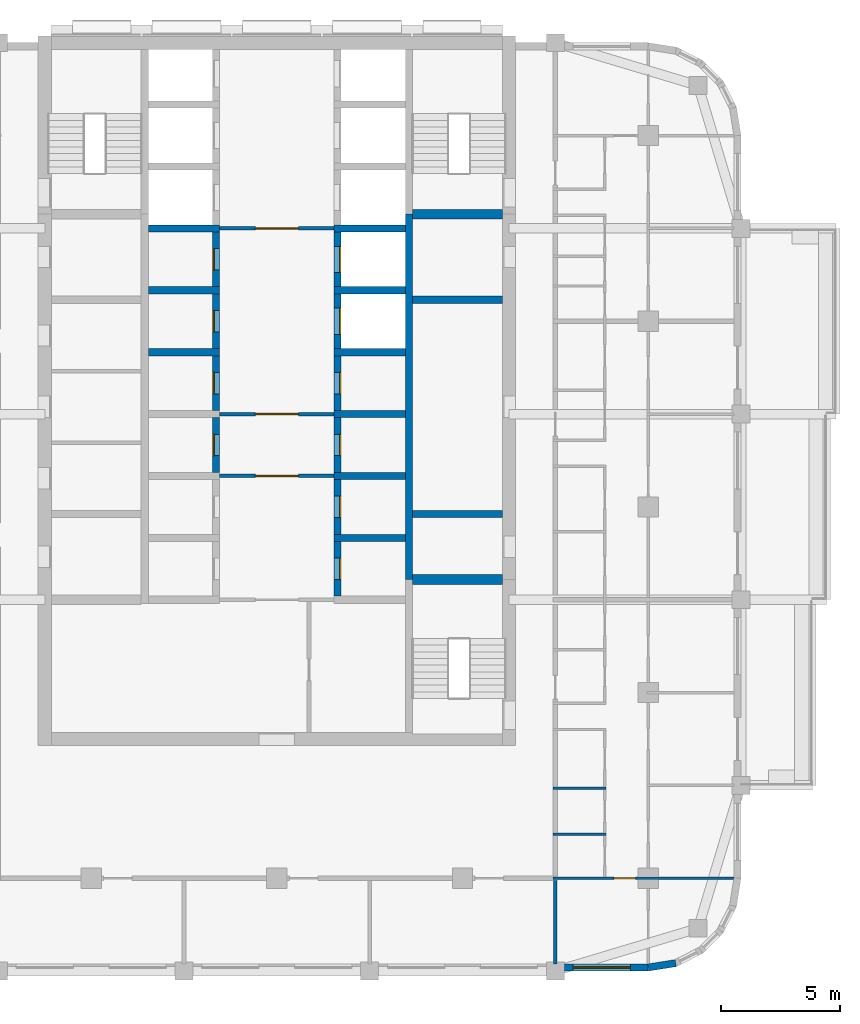
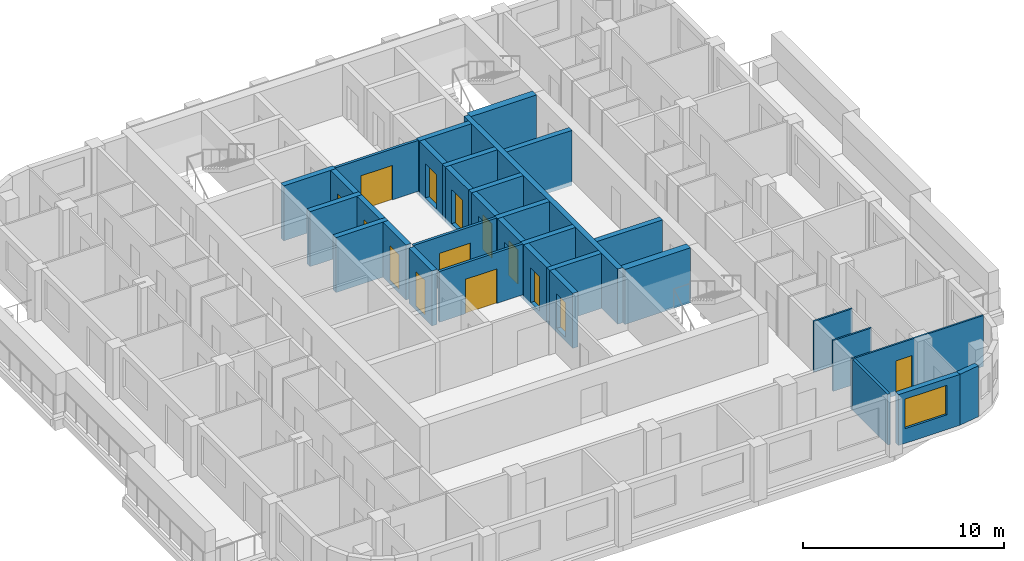
# One storey, part 5 of 13: 33 walls, 14 doors, 1 window, 15 openings.
"""IFC4 building model written with IfcOpenShell, lengths in metres."""

from ifc_helpers import new_model, si_unit, direction, frame, frame_2d, origin, place, context, subcontext, project, spatial, rectangle, extrude, material, layer, layer_set, type_object, element, fill, save


model = new_model("IFC4")

# Units and contexts
model_context = context("Model", 3, precision=1e-05, world=origin(), true_north=direction((0.0, 1.0)))
body_context = subcontext(model_context, "Body", "Model", "MODEL_VIEW")
ifc_project = project(units=[si_unit("LENGTHUNIT", "METRE"), si_unit("AREAUNIT", "SQUARE_METRE"), si_unit("VOLUMEUNIT", "CUBIC_METRE"), si_unit("PLANEANGLEUNIT", "RADIAN"), si_unit("MASSUNIT", "GRAM", prefix="KILO")], contexts=[model_context])

# Site, building, storey
site_placement = place(None, origin())
site = spatial("IfcSite", under=ifc_project, at=site_placement, CompositionType="ELEMENT")
building_placement = place(site_placement, origin())
building = spatial("IfcBuilding", under=site, at=building_placement, Name="Ludao Terraces", CompositionType="ELEMENT")
storey_placement = place(building_placement, frame((0.0, 0.0, 189.39990234375)))
storey = spatial("IfcBuildingStorey", under=building, at=storey_placement, Name="L51", CompositionType="ELEMENT", Elevation=189.39990234375)

# Wall, opening, window
ifc_material_1 = material(Name="Granite cladding", Category="masonry")
ifc_layer_1 = layer(ifc_material_1, 0.0400390625, Category="stone")
ifc_material_2 = material(Name="Mineral wool")
ifc_layer_2 = layer(ifc_material_2, 0.06005859375)
ifc_material_3 = material(Name="Concrete C40", Category="concrete")
ifc_layer_3 = layer(ifc_material_3, 0.199951171875, Category="concrete")
ifc_layer_set_1 = layer_set([ifc_layer_1, ifc_layer_2, ifc_layer_3], Name="ENV Stone-clad wall 300")
wall_type_1 = type_object("IfcWallType", Name="ENV Stone-clad wall 300", PredefinedType="SOLIDWALL", material=ifc_layer_set_1)
wall_1_placement = place(storey_placement, frame((97.074951171875, 45.64990234375, 0.0), z_axis=(0.0, 0.0, 1.0), x_axis=(1.0, 0.0, 0.0)))
wall_1 = element("IfcWall", 1, at=wall_1_placement, inside=storey, type_object=wall_type_1, Name="EW-L51-S5", PredefinedType="SOLIDWALL", context=body_context, shape_type="SweptSolid", body=[
    extrude(rectangle(XDim=3.525146484375, YDim=0.300048828125, at=frame_2d((1.7626953125, 0.0))), origin(), (0.0, 0.0, 1.0), 3.10009765625),
])
opening_1_placement = place(wall_1_placement, frame((0.375, 0.0, 0.89990234375)))
opening_1 = element("IfcOpeningElement", 2, at=opening_1_placement, cuts=wall_1, Name="Opening W1", PredefinedType="OPENING", context=body_context, shape_type="SweptSolid", body=[
    extrude(rectangle(XDim=2.39990234375, YDim=1.800048828125, at=frame_2d((1.199951171875, 0.89990234375))), frame((0.0, 0.16015625, 0.0), z_axis=(0.0, -1.0, 0.0), x_axis=(1.0, 0.0, 0.0)), (0.0, 0.0, 1.0), 0.320068359375),
])
ifc_material_4 = material(Name="Clear glass in aluminium frame", Category="aluminium")
ifc_layer_4 = layer(ifc_material_4, 0.06005859375)
ifc_layer_set_2 = layer_set([ifc_layer_4], Name="ENV Window W1 2400x1800")
window_type = type_object("IfcWindowType", Name="ENV Window W1 2400x1800", PartitioningType="DOUBLE_PANEL_VERTICAL", PredefinedType="WINDOW", material=ifc_layer_set_2)
window_placement = place(opening_1_placement, origin())
window = element("IfcWindow", 3, at=window_placement, inside=storey, type_object=window_type, Name="W-L51-S5-1", OverallHeight=1.800048828125, OverallWidth=2.39990234375, PartitioningType="DOUBLE_PANEL_VERTICAL", PredefinedType="WINDOW", context=body_context, shape_type="SweptSolid", body=[
    extrude(rectangle(XDim=2.39990234375, YDim=1.800048828125, at=frame_2d((1.199951171875, 0.89990234375))), frame((0.0, 0.030029296875, 0.0), z_axis=(0.0, -1.0, 0.0), x_axis=(1.0, 0.0, 0.0)), (0.0, 0.0, 1.0), 0.06005859375),
])
fill(opening_1, window)

# Wall
wall_2_placement = place(storey_placement, frame((100.60009765625, 45.64990234375, 0.0), z_axis=(0.0, 0.0, 1.0), x_axis=(0.987678452879, 0.156496880861, 0.0)))
element("IfcWall", 4, at=wall_2_placement, inside=storey, type_object=wall_type_1, Name="EW-L51-SE1", PredefinedType="SOLIDWALL", context=body_context, shape_type="SweptSolid", body=[
    extrude(rectangle(XDim=1.173095703125, YDim=0.300048828125, at=frame_2d((0.58642578125, 0.0))), origin(), (0.0, 0.0, 1.0), 3.10009765625),
])

# Wall, opening, door
ifc_material_5 = material(Name="Fire-rated gypsum plasterboard", Category="gypsum")
ifc_layer_5 = layer(ifc_material_5, 0.012451171875, Category="gypsum")
ifc_layer_6 = layer(ifc_material_2, 0.10009765625, Name="insulation")
ifc_material_6 = material(Name="Steel Q235", Category="steel")
ifc_layer_7 = layer(ifc_material_6, 0.02490234375, Name="stud")
ifc_layer_8 = layer(ifc_material_5, 0.012451171875, Category="gypsum")
ifc_layer_set_3 = layer_set([ifc_layer_5, ifc_layer_6, ifc_layer_7, ifc_layer_8], Name="INT Core partition 150")
wall_type_2 = type_object("IfcWallType", Name="INT Core partition 150", PredefinedType="PARTITIONING", material=ifc_layer_set_3)
wall_3_placement = place(storey_placement, frame((82.60009765625, 66.300048828125, 0.0), z_axis=(0.0, 0.0, 1.0), x_axis=(1.0, 0.0, 0.0)))
wall_3 = element("IfcWall", 5, at=wall_3_placement, inside=storey, type_object=wall_type_2, Name="PW-L51-PW023", PredefinedType="PARTITIONING", context=body_context, shape_type="SweptSolid", body=[
    extrude(rectangle(XDim=4.800048828125, YDim=0.14990234375, at=frame_2d((2.39990234375, 0.0))), origin(), (0.0, 0.0, 1.0), 3.10009765625),
])
opening_2_placement = place(wall_3_placement, frame((1.5, 0.0, 0.0)))
opening_2 = element("IfcOpeningElement", 6, at=opening_2_placement, cuts=wall_3, Name="Opening R18-043", PredefinedType="OPENING", context=body_context, shape_type="SweptSolid", body=[
    extrude(rectangle(XDim=1.800048828125, YDim=2.10009765625, at=frame_2d((0.89990234375, 1.050048828125))), frame((0.0, 0.0849609375, 0.0), z_axis=(0.0, -1.0, 0.0), x_axis=(1.0, 0.0, 0.0)), (0.0, 0.0, 1.0), 0.169921875),
])
door_type_1 = type_object("IfcDoorType", Name="INT Fire lobby door 1800", OperationType="DOUBLE_DOOR_SINGLE_SWING", PredefinedType="DOOR", material=ifc_material_6)
door_1_placement = place(opening_2_placement, origin())
door_1 = element("IfcDoor", 7, at=door_1_placement, inside=storey, type_object=door_type_1, Name="DOOR 043", OperationType="DOUBLE_DOOR_SINGLE_SWING", OverallHeight=2.10009765625, OverallWidth=1.800048828125, PredefinedType="DOOR", context=body_context, shape_type="SweptSolid", body=[
    extrude(rectangle(XDim=1.800048828125, YDim=2.10009765625, at=frame_2d((0.89990234375, 1.050048828125))), frame((0.0, 0.02490234375, 0.0), z_axis=(0.0, -1.0, 0.0), x_axis=(1.0, 0.0, 0.0)), (0.0, 0.0, 1.0), 0.050048828125),
])
fill(opening_2, door_1)

wall_4_placement = place(storey_placement, frame((82.60009765625, 68.89990234375, 0.0), z_axis=(0.0, 0.0, 1.0), x_axis=(1.0, 0.0, 0.0)))
wall_4 = element("IfcWall", 8, at=wall_4_placement, inside=storey, type_object=wall_type_2, Name="PW-L51-PW029", PredefinedType="PARTITIONING", context=body_context, shape_type="SweptSolid", body=[
    extrude(rectangle(XDim=4.800048828125, YDim=0.14990234375, at=frame_2d((2.39990234375, 0.0))), origin(), (0.0, 0.0, 1.0), 3.10009765625),
])
opening_3_placement = place(wall_4_placement, frame((1.5, 0.0, 0.0)))
opening_3 = element("IfcOpeningElement", 9, at=opening_3_placement, cuts=wall_4, Name="Opening R18-050", PredefinedType="OPENING", context=body_context, shape_type="SweptSolid", body=[
    extrude(rectangle(XDim=1.800048828125, YDim=2.10009765625, at=frame_2d((0.89990234375, 1.050048828125))), frame((0.0, 0.0849609375, 0.0), z_axis=(0.0, -1.0, 0.0), x_axis=(1.0, 0.0, 0.0)), (0.0, 0.0, 1.0), 0.169921875),
])
door_2_placement = place(opening_3_placement, origin())
door_2 = element("IfcDoor", 10, at=door_2_placement, inside=storey, type_object=door_type_1, Name="DOOR 050", OperationType="DOUBLE_DOOR_SINGLE_SWING", OverallHeight=2.10009765625, OverallWidth=1.800048828125, PredefinedType="DOOR", context=body_context, shape_type="SweptSolid", body=[
    extrude(rectangle(XDim=1.800048828125, YDim=2.10009765625, at=frame_2d((0.89990234375, 1.050048828125))), frame((0.0, 0.02490234375, 0.0), z_axis=(0.0, -1.0, 0.0), x_axis=(1.0, 0.0, 0.0)), (0.0, 0.0, 1.0), 0.050048828125),
])
fill(opening_3, door_2)

wall_5_placement = place(storey_placement, frame((82.60009765625, 76.699951171875, 0.0), z_axis=(0.0, 0.0, 1.0), x_axis=(1.0, 0.0, 0.0)))
wall_5 = element("IfcWall", 11, at=wall_5_placement, inside=storey, type_object=wall_type_2, Name="PW-L51-PW042", PredefinedType="PARTITIONING", context=body_context, shape_type="SweptSolid", body=[
    extrude(rectangle(XDim=4.800048828125, YDim=0.14990234375, at=frame_2d((2.39990234375, 0.0))), origin(), (0.0, 0.0, 1.0), 3.10009765625),
])
opening_4_placement = place(wall_5_placement, frame((1.5, 0.0, 0.0)))
opening_4 = element("IfcOpeningElement", 12, at=opening_4_placement, cuts=wall_5, Name="Opening R18-073", PredefinedType="OPENING", context=body_context, shape_type="SweptSolid", body=[
    extrude(rectangle(XDim=1.800048828125, YDim=2.10009765625, at=frame_2d((0.89990234375, 1.050048828125))), frame((0.0, 0.0849609375, 0.0), z_axis=(0.0, -1.0, 0.0), x_axis=(1.0, 0.0, 0.0)), (0.0, 0.0, 1.0), 0.169921875),
])
door_3_placement = place(opening_4_placement, origin())
door_3 = element("IfcDoor", 13, at=door_3_placement, inside=storey, type_object=door_type_1, Name="DOOR 073", OperationType="DOUBLE_DOOR_SINGLE_SWING", OverallHeight=2.10009765625, OverallWidth=1.800048828125, PredefinedType="DOOR", context=body_context, shape_type="SweptSolid", body=[
    extrude(rectangle(XDim=1.800048828125, YDim=2.10009765625, at=frame_2d((0.89990234375, 1.050048828125))), frame((0.0, 0.02490234375, 0.0), z_axis=(0.0, -1.0, 0.0), x_axis=(1.0, 0.0, 0.0)), (0.0, 0.0, 1.0), 0.050048828125),
])
fill(opening_4, door_3)

ifc_material_7 = material(Name="Gypsum plasterboard", Category="gypsum")
ifc_layer_9 = layer(ifc_material_7, 0.012451171875, Category="gypsum")
ifc_layer_10 = layer(ifc_material_2, 0.06005859375, Name="insulation")
ifc_layer_11 = layer(ifc_material_6, 0.014892578125, Name="stud")
ifc_layer_12 = layer(ifc_material_7, 0.012451171875, Category="gypsum")
ifc_layer_set_4 = layer_set([ifc_layer_9, ifc_layer_10, ifc_layer_11, ifc_layer_12], Name="INT Partition 100")
wall_type_3 = type_object("IfcWallType", Name="INT Partition 100", PredefinedType="PARTITIONING", material=ifc_layer_set_4)
wall_6_placement = place(storey_placement, frame((96.60009765625, 49.39990234375, 0.0), z_axis=(0.0, 0.0, 1.0), x_axis=(1.0, 0.0, 0.0)))
wall_6 = element("IfcWall", 14, at=wall_6_placement, inside=storey, type_object=wall_type_3, Name="PW-L51-PW002", PredefinedType="PARTITIONING", context=body_context, shape_type="SweptSolid", body=[
    extrude(rectangle(XDim=7.60009765625, YDim=0.10009765625, at=frame_2d((3.800048828125, 0.0))), origin(), (0.0, 0.0, 1.0), 3.10009765625),
])
opening_5_placement = place(wall_6_placement, frame((2.56005859375, 0.0, 0.0)))
opening_5 = element("IfcOpeningElement", 15, at=opening_5_placement, cuts=wall_6, Name="Opening R18-007", PredefinedType="OPENING", context=body_context, shape_type="SweptSolid", body=[
    extrude(rectangle(XDim=0.89990234375, YDim=2.10009765625, at=frame_2d((0.449951171875, 1.050048828125))), frame((0.0, 0.06005859375, 0.0), z_axis=(0.0, -1.0, 0.0), x_axis=(1.0, 0.0, 0.0)), (0.0, 0.0, 1.0), 0.1201171875),
])
ifc_material_8 = material(Name="Timber door leaf", Category="wood")
door_type_2 = type_object("IfcDoorType", Name="INT Room door 900", OperationType="SINGLE_SWING_LEFT", PredefinedType="DOOR", material=ifc_material_8)
door_4_placement = place(opening_5_placement, origin())
door_4 = element("IfcDoor", 16, at=door_4_placement, inside=storey, type_object=door_type_2, Name="DOOR 007", OperationType="SINGLE_SWING_LEFT", OverallHeight=2.10009765625, OverallWidth=0.89990234375, PredefinedType="DOOR", context=body_context, shape_type="SweptSolid", body=[
    extrude(rectangle(XDim=0.89990234375, YDim=2.10009765625, at=frame_2d((0.449951171875, 1.050048828125))), frame((0.0, 0.02490234375, 0.0), z_axis=(0.0, -1.0, 0.0), x_axis=(1.0, 0.0, 0.0)), (0.0, 0.0, 1.0), 0.050048828125),
])
fill(opening_5, door_4)

# Walls
for number, where, z_axis, x_axis, name in (
    (17, (96.60009765625, 51.25, 0.0), (0.0, 0.0, 1.0), (1.0, 0.0, 0.0), "PW-L51-PW003"),
    (18, (96.60009765625, 53.179931640625, 0.0), (0.0, 0.0, 1.0), (1.0, 0.0, 0.0), "PW-L51-PW005"),
):
    element("IfcWall", number, at=place(storey_placement, frame(where, z_axis=z_axis, x_axis=x_axis)), inside=storey, type_object=wall_type_3, Name=name, PredefinedType="PARTITIONING", context=body_context, shape_type="SweptSolid", body=[
        extrude(rectangle(XDim=2.219970703125, YDim=0.10009765625, at=frame_2d((1.10986328125, 0.0))), origin(), (0.0, 0.0, 1.0), 3.10009765625),
    ])
ifc_material_9 = material(Name="Autoclaved aerated concrete block B06 A3.5", Category="concrete")
ifc_layer_13 = layer(ifc_material_9, 0.14990234375)
ifc_layer_set_5 = layer_set([ifc_layer_13], Name="INT Party wall 150")
wall_type_4 = type_object("IfcWallType", Name="INT Party wall 150", PredefinedType="PARTITIONING", material=ifc_layer_set_5)
wall_7_placement = place(storey_placement, frame((96.699951171875, 45.800048828125, 0.0), z_axis=(0.0, 0.0, 1.0), x_axis=(0.0, 1.0, 0.0)))
element("IfcWall", 19, at=wall_7_placement, inside=storey, type_object=wall_type_4, Name="PW-L51-PW058", PredefinedType="PARTITIONING", context=body_context, shape_type="SweptSolid", body=[
    extrude(rectangle(XDim=3.5, YDim=0.14990234375, at=frame_2d((1.75, 0.0))), origin(), (0.0, 0.0, 1.0), 3.10009765625),
])
ifc_material_10 = material(Name="Concrete C55", Category="concrete")
ifc_layer_14 = layer(ifc_material_10, 0.300048828125)
ifc_layer_set_6 = layer_set([ifc_layer_14], Name="Shaft wall 300 C55")
wall_type_5 = type_object("IfcWallType", Name="Shaft wall 300 C55", PredefinedType="SOLIDWALL", material=ifc_layer_set_6)
wall_8_placement = place(storey_placement, frame((90.550048828125, 61.949951171875, -0.25), z_axis=(0.0, 0.0, 1.0), x_axis=(0.0, 1.0, 0.0)))
element("IfcWall", 20, at=wall_8_placement, inside=storey, type_object=wall_type_5, Name="Core wall L51 back-E", PredefinedType="SOLIDWALL", context=body_context, shape_type="SweptSolid", body=[
    extrude(rectangle(XDim=15.35009765625, YDim=0.300048828125, at=frame_2d((7.675048828125, 0.0))), origin(), (0.0, 0.0, 1.0), 3.35009765625),
])

# Wall, opening, door
wall_9_placement = place(storey_placement, frame((82.449951171875, 66.449951171875, -0.25), z_axis=(0.0, 0.0, 1.0), x_axis=(0.0, 1.0, 0.0)))
wall_9 = element("IfcWall", 21, at=wall_9_placement, inside=storey, type_object=wall_type_5, Name="Core wall L51 front-W3", PredefinedType="SOLIDWALL", context=body_context, shape_type="SweptSolid", body=[
    extrude(rectangle(XDim=2.300048828125, YDim=0.300048828125, at=frame_2d((1.14990234375, 0.0))), origin(), (0.0, 0.0, 1.0), 3.35009765625),
])
opening_6_placement = place(wall_9_placement, frame((0.699951171875, 0.0, 0.25)))
opening_6 = element("IfcOpeningElement", 22, at=opening_6_placement, cuts=wall_9, Name="Opening R18-045", PredefinedType="OPENING", context=body_context, shape_type="SweptSolid", body=[
    extrude(rectangle(XDim=0.89990234375, YDim=2.10009765625, at=frame_2d((0.449951171875, 1.050048828125))), frame((0.0, 0.16015625, 0.0), z_axis=(0.0, -1.0, 0.0), x_axis=(1.0, 0.0, 0.0)), (0.0, 0.0, 1.0), 0.320068359375),
])
door_5_placement = place(opening_6_placement, origin())
door_5 = element("IfcDoor", 23, at=door_5_placement, inside=storey, type_object=door_type_2, Name="DOOR 045", OperationType="SINGLE_SWING_RIGHT", OverallHeight=2.10009765625, OverallWidth=0.89990234375, PredefinedType="DOOR", context=body_context, shape_type="SweptSolid", body=[
    extrude(rectangle(XDim=0.89990234375, YDim=2.10009765625, at=frame_2d((0.449951171875, 1.050048828125))), frame((0.0, 0.13525390625, 0.0), z_axis=(0.0, -1.0, 0.0), x_axis=(1.0, 0.0, 0.0)), (0.0, 0.0, 1.0), 0.050048828125),
])
fill(opening_6, door_5)

wall_10_placement = place(storey_placement, frame((82.449951171875, 69.050048828125, -0.25), z_axis=(0.0, 0.0, 1.0), x_axis=(0.0, 1.0, 0.0)))
wall_10 = element("IfcWall", 24, at=wall_10_placement, inside=storey, type_object=wall_type_5, Name="Core wall L51 front-W4", PredefinedType="SOLIDWALL", context=body_context, shape_type="SweptSolid", body=[
    extrude(rectangle(XDim=2.300048828125, YDim=0.300048828125, at=frame_2d((1.14990234375, 0.0))), origin(), (0.0, 0.0, 1.0), 3.35009765625),
])
opening_7_placement = place(wall_10_placement, frame((0.699951171875, 0.0, 0.25)))
opening_7 = element("IfcOpeningElement", 25, at=opening_7_placement, cuts=wall_10, Name="Opening R18-053", PredefinedType="OPENING", context=body_context, shape_type="SweptSolid", body=[
    extrude(rectangle(XDim=0.89990234375, YDim=2.10009765625, at=frame_2d((0.449951171875, 1.050048828125))), frame((0.0, 0.16015625, 0.0), z_axis=(0.0, -1.0, 0.0), x_axis=(1.0, 0.0, 0.0)), (0.0, 0.0, 1.0), 0.320068359375),
])
door_6_placement = place(opening_7_placement, origin())
door_6 = element("IfcDoor", 26, at=door_6_placement, inside=storey, type_object=door_type_2, Name="DOOR 053", OperationType="SINGLE_SWING_LEFT", OverallHeight=2.10009765625, OverallWidth=0.89990234375, PredefinedType="DOOR", context=body_context, shape_type="SweptSolid", body=[
    extrude(rectangle(XDim=0.89990234375, YDim=2.10009765625, at=frame_2d((0.449951171875, 1.050048828125))), frame((0.0, 0.13525390625, 0.0), z_axis=(0.0, -1.0, 0.0), x_axis=(1.0, 0.0, 0.0)), (0.0, 0.0, 1.0), 0.050048828125),
])
fill(opening_7, door_6)

# Wall
wall_11_placement = place(storey_placement, frame((79.60009765625, 71.5, -0.25), z_axis=(0.0, 0.0, 1.0), x_axis=(1.0, 0.0, 0.0)))
element("IfcWall", 27, at=wall_11_placement, inside=storey, type_object=wall_type_5, Name="Core wall L51 div-W5", PredefinedType="SOLIDWALL", context=body_context, shape_type="SweptSolid", body=[
    extrude(rectangle(XDim=3.0, YDim=0.300048828125, at=frame_2d((1.5, 0.0))), origin(), (0.0, 0.0, 1.0), 3.35009765625),
])

# Wall, opening, door
wall_12_placement = place(storey_placement, frame((82.449951171875, 71.64990234375, -0.25), z_axis=(0.0, 0.0, 1.0), x_axis=(0.0, 1.0, 0.0)))
wall_12 = element("IfcWall", 28, at=wall_12_placement, inside=storey, type_object=wall_type_5, Name="Core wall L51 front-W5", PredefinedType="SOLIDWALL", context=body_context, shape_type="SweptSolid", body=[
    extrude(rectangle(XDim=2.300048828125, YDim=0.300048828125, at=frame_2d((1.14990234375, 0.0))), origin(), (0.0, 0.0, 1.0), 3.35009765625),
])
opening_8_placement = place(wall_12_placement, frame((0.699951171875, 0.0, 0.25)))
opening_8 = element("IfcOpeningElement", 29, at=opening_8_placement, cuts=wall_12, Name="Opening R18-061", PredefinedType="OPENING", context=body_context, shape_type="SweptSolid", body=[
    extrude(rectangle(XDim=0.89990234375, YDim=2.10009765625, at=frame_2d((0.449951171875, 1.050048828125))), frame((0.0, 0.16015625, 0.0), z_axis=(0.0, -1.0, 0.0), x_axis=(1.0, 0.0, 0.0)), (0.0, 0.0, 1.0), 0.320068359375),
])
door_7_placement = place(opening_8_placement, origin())
door_7 = element("IfcDoor", 30, at=door_7_placement, inside=storey, type_object=door_type_2, Name="DOOR 061", OperationType="SINGLE_SWING_LEFT", OverallHeight=2.10009765625, OverallWidth=0.89990234375, PredefinedType="DOOR", context=body_context, shape_type="SweptSolid", body=[
    extrude(rectangle(XDim=0.89990234375, YDim=2.10009765625, at=frame_2d((0.449951171875, 1.050048828125))), frame((0.0, 0.13525390625, 0.0), z_axis=(0.0, -1.0, 0.0), x_axis=(1.0, 0.0, 0.0)), (0.0, 0.0, 1.0), 0.050048828125),
])
fill(opening_8, door_7)

# Wall
wall_13_placement = place(storey_placement, frame((79.60009765625, 74.10009765625, -0.25), z_axis=(0.0, 0.0, 1.0), x_axis=(1.0, 0.0, 0.0)))
element("IfcWall", 31, at=wall_13_placement, inside=storey, type_object=wall_type_5, Name="Core wall L51 div-W6", PredefinedType="SOLIDWALL", context=body_context, shape_type="SweptSolid", body=[
    extrude(rectangle(XDim=3.0, YDim=0.300048828125, at=frame_2d((1.5, 0.0))), origin(), (0.0, 0.0, 1.0), 3.35009765625),
])

# Wall, opening, door
wall_14_placement = place(storey_placement, frame((82.449951171875, 74.25, -0.25), z_axis=(0.0, 0.0, 1.0), x_axis=(0.0, 1.0, 0.0)))
wall_14 = element("IfcWall", 32, at=wall_14_placement, inside=storey, type_object=wall_type_5, Name="Core wall L51 front-W6", PredefinedType="SOLIDWALL", context=body_context, shape_type="SweptSolid", body=[
    extrude(rectangle(XDim=2.300048828125, YDim=0.300048828125, at=frame_2d((1.14990234375, 0.0))), origin(), (0.0, 0.0, 1.0), 3.35009765625),
])
opening_9_placement = place(wall_14_placement, frame((0.699951171875, 0.0, 0.25)))
opening_9 = element("IfcOpeningElement", 33, at=opening_9_placement, cuts=wall_14, Name="Opening R18-068", PredefinedType="OPENING", context=body_context, shape_type="SweptSolid", body=[
    extrude(rectangle(XDim=0.89990234375, YDim=2.10009765625, at=frame_2d((0.449951171875, 1.050048828125))), frame((0.0, 0.16015625, 0.0), z_axis=(0.0, -1.0, 0.0), x_axis=(1.0, 0.0, 0.0)), (0.0, 0.0, 1.0), 0.320068359375),
])
door_8_placement = place(opening_9_placement, origin())
door_8 = element("IfcDoor", 34, at=door_8_placement, inside=storey, type_object=door_type_2, Name="DOOR 068", OperationType="SINGLE_SWING_RIGHT", OverallHeight=2.10009765625, OverallWidth=0.89990234375, PredefinedType="DOOR", context=body_context, shape_type="SweptSolid", body=[
    extrude(rectangle(XDim=0.89990234375, YDim=2.10009765625, at=frame_2d((0.449951171875, 1.050048828125))), frame((0.0, 0.13525390625, 0.0), z_axis=(0.0, -1.0, 0.0), x_axis=(1.0, 0.0, 0.0)), (0.0, 0.0, 1.0), 0.050048828125),
])
fill(opening_9, door_8)

# Wall
wall_15_placement = place(storey_placement, frame((79.60009765625, 76.699951171875, -0.25), z_axis=(0.0, 0.0, 1.0), x_axis=(1.0, 0.0, 0.0)))
element("IfcWall", 35, at=wall_15_placement, inside=storey, type_object=wall_type_5, Name="Core wall L51 div-W7", PredefinedType="SOLIDWALL", context=body_context, shape_type="SweptSolid", body=[
    extrude(rectangle(XDim=3.0, YDim=0.300048828125, at=frame_2d((1.5, 0.0))), origin(), (0.0, 0.0, 1.0), 3.35009765625),
])

# Wall, opening, door
wall_16_placement = place(storey_placement, frame((87.550048828125, 61.25, -0.25), z_axis=(0.0, 0.0, 1.0), x_axis=(0.0, 1.0, 0.0)))
wall_16 = element("IfcWall", 36, at=wall_16_placement, inside=storey, type_object=wall_type_5, Name="Core wall L51 front-E1", PredefinedType="SOLIDWALL", context=body_context, shape_type="SweptSolid", body=[
    extrude(rectangle(XDim=2.300048828125, YDim=0.300048828125, at=frame_2d((1.14990234375, 0.0))), origin(), (0.0, 0.0, 1.0), 3.35009765625),
])
opening_10_placement = place(wall_16_placement, frame((0.699951171875, 0.0, 0.25)))
opening_10 = element("IfcOpeningElement", 37, at=opening_10_placement, cuts=wall_16, Name="Opening R18-030", PredefinedType="OPENING", context=body_context, shape_type="SweptSolid", body=[
    extrude(rectangle(XDim=0.89990234375, YDim=2.10009765625, at=frame_2d((0.449951171875, 1.050048828125))), frame((0.0, 0.16015625, 0.0), z_axis=(0.0, -1.0, 0.0), x_axis=(1.0, 0.0, 0.0)), (0.0, 0.0, 1.0), 0.320068359375),
])
door_9_placement = place(opening_10_placement, origin())
door_9 = element("IfcDoor", 38, at=door_9_placement, inside=storey, type_object=door_type_2, Name="DOOR 030", OperationType="SINGLE_SWING_LEFT", OverallHeight=2.10009765625, OverallWidth=0.89990234375, PredefinedType="DOOR", context=body_context, shape_type="SweptSolid", body=[
    extrude(rectangle(XDim=0.89990234375, YDim=2.10009765625, at=frame_2d((0.449951171875, 1.050048828125))), frame((0.0, -0.0849609375, 0.0), z_axis=(0.0, -1.0, 0.0), x_axis=(1.0, 0.0, 0.0)), (0.0, 0.0, 1.0), 0.050048828125),
])
fill(opening_10, door_9)

# Wall
wall_17_placement = place(storey_placement, frame((87.39990234375, 63.699951171875, -0.25), z_axis=(0.0, 0.0, 1.0), x_axis=(1.0, 0.0, 0.0)))
element("IfcWall", 39, at=wall_17_placement, inside=storey, type_object=wall_type_5, Name="Core wall L51 div-E2", PredefinedType="SOLIDWALL", context=body_context, shape_type="SweptSolid", body=[
    extrude(rectangle(XDim=3.0, YDim=0.300048828125, at=frame_2d((1.5, 0.0))), origin(), (0.0, 0.0, 1.0), 3.35009765625),
])

# Wall, opening, door
wall_18_placement = place(storey_placement, frame((87.550048828125, 63.85009765625, -0.25), z_axis=(0.0, 0.0, 1.0), x_axis=(0.0, 1.0, 0.0)))
wall_18 = element("IfcWall", 40, at=wall_18_placement, inside=storey, type_object=wall_type_5, Name="Core wall L51 front-E2", PredefinedType="SOLIDWALL", context=body_context, shape_type="SweptSolid", body=[
    extrude(rectangle(XDim=2.2998046875, YDim=0.300048828125, at=frame_2d((1.14990234375, 0.0))), origin(), (0.0, 0.0, 1.0), 3.35009765625),
])
opening_11_placement = place(wall_18_placement, frame((0.699951171875, 0.0, 0.25)))
opening_11 = element("IfcOpeningElement", 41, at=opening_11_placement, cuts=wall_18, Name="Opening R18-038", PredefinedType="OPENING", context=body_context, shape_type="SweptSolid", body=[
    extrude(rectangle(XDim=0.89990234375, YDim=2.10009765625, at=frame_2d((0.449951171875, 1.050048828125))), frame((0.0, 0.16015625, 0.0), z_axis=(0.0, -1.0, 0.0), x_axis=(1.0, 0.0, 0.0)), (0.0, 0.0, 1.0), 0.320068359375),
])
door_10_placement = place(opening_11_placement, origin())
door_10 = element("IfcDoor", 42, at=door_10_placement, inside=storey, type_object=door_type_2, Name="DOOR 038", OperationType="SINGLE_SWING_RIGHT", OverallHeight=2.10009765625, OverallWidth=0.89990234375, PredefinedType="DOOR", context=body_context, shape_type="SweptSolid", body=[
    extrude(rectangle(XDim=0.89990234375, YDim=2.10009765625, at=frame_2d((0.449951171875, 1.050048828125))), frame((0.0, -0.0849609375, 0.0), z_axis=(0.0, -1.0, 0.0), x_axis=(1.0, 0.0, 0.0)), (0.0, 0.0, 1.0), 0.050048828125),
])
fill(opening_11, door_10)

# Wall
wall_19_placement = place(storey_placement, frame((87.39990234375, 66.300048828125, -0.25), z_axis=(0.0, 0.0, 1.0), x_axis=(1.0, 0.0, 0.0)))
element("IfcWall", 43, at=wall_19_placement, inside=storey, type_object=wall_type_5, Name="Core wall L51 div-E3", PredefinedType="SOLIDWALL", context=body_context, shape_type="SweptSolid", body=[
    extrude(rectangle(XDim=3.0, YDim=0.300048828125, at=frame_2d((1.5, 0.0))), origin(), (0.0, 0.0, 1.0), 3.35009765625),
])

# Wall, opening, door
wall_20_placement = place(storey_placement, frame((87.550048828125, 66.449951171875, -0.25), z_axis=(0.0, 0.0, 1.0), x_axis=(0.0, 1.0, 0.0)))
wall_20 = element("IfcWall", 44, at=wall_20_placement, inside=storey, type_object=wall_type_5, Name="Core wall L51 front-E3", PredefinedType="SOLIDWALL", context=body_context, shape_type="SweptSolid", body=[
    extrude(rectangle(XDim=2.300048828125, YDim=0.300048828125, at=frame_2d((1.14990234375, 0.0))), origin(), (0.0, 0.0, 1.0), 3.35009765625),
])
opening_12_placement = place(wall_20_placement, frame((0.699951171875, 0.0, 0.25)))
opening_12 = element("IfcOpeningElement", 45, at=opening_12_placement, cuts=wall_20, Name="Opening R18-046", PredefinedType="OPENING", context=body_context, shape_type="SweptSolid", body=[
    extrude(rectangle(XDim=0.89990234375, YDim=2.10009765625, at=frame_2d((0.449951171875, 1.050048828125))), frame((0.0, 0.16015625, 0.0), z_axis=(0.0, -1.0, 0.0), x_axis=(1.0, 0.0, 0.0)), (0.0, 0.0, 1.0), 0.320068359375),
])
door_11_placement = place(opening_12_placement, origin())
door_11 = element("IfcDoor", 46, at=door_11_placement, inside=storey, type_object=door_type_2, Name="DOOR 046", OperationType="SINGLE_SWING_LEFT", OverallHeight=2.10009765625, OverallWidth=0.89990234375, PredefinedType="DOOR", context=body_context, shape_type="SweptSolid", body=[
    extrude(rectangle(XDim=0.89990234375, YDim=2.10009765625, at=frame_2d((0.449951171875, 1.050048828125))), frame((0.0, -0.0849609375, 0.0), z_axis=(0.0, -1.0, 0.0), x_axis=(1.0, 0.0, 0.0)), (0.0, 0.0, 1.0), 0.050048828125),
])
fill(opening_12, door_11)

# Wall
wall_21_placement = place(storey_placement, frame((87.39990234375, 68.89990234375, -0.25), z_axis=(0.0, 0.0, 1.0), x_axis=(1.0, 0.0, 0.0)))
element("IfcWall", 47, at=wall_21_placement, inside=storey, type_object=wall_type_5, Name="Core wall L51 div-E4", PredefinedType="SOLIDWALL", context=body_context, shape_type="SweptSolid", body=[
    extrude(rectangle(XDim=3.0, YDim=0.300048828125, at=frame_2d((1.5, 0.0))), origin(), (0.0, 0.0, 1.0), 3.35009765625),
])

# Wall, opening, door
wall_22_placement = place(storey_placement, frame((87.550048828125, 69.050048828125, -0.25), z_axis=(0.0, 0.0, 1.0), x_axis=(0.0, 1.0, 0.0)))
wall_22 = element("IfcWall", 48, at=wall_22_placement, inside=storey, type_object=wall_type_5, Name="Core wall L51 front-E4", PredefinedType="SOLIDWALL", context=body_context, shape_type="SweptSolid", body=[
    extrude(rectangle(XDim=2.300048828125, YDim=0.300048828125, at=frame_2d((1.14990234375, 0.0))), origin(), (0.0, 0.0, 1.0), 3.35009765625),
])
opening_13_placement = place(wall_22_placement, frame((0.699951171875, 0.0, 0.25)))
opening_13 = element("IfcOpeningElement", 49, at=opening_13_placement, cuts=wall_22, Name="Opening R18-054", PredefinedType="OPENING", context=body_context, shape_type="SweptSolid", body=[
    extrude(rectangle(XDim=0.89990234375, YDim=2.10009765625, at=frame_2d((0.449951171875, 1.050048828125))), frame((0.0, 0.16015625, 0.0), z_axis=(0.0, -1.0, 0.0), x_axis=(1.0, 0.0, 0.0)), (0.0, 0.0, 1.0), 0.320068359375),
])
door_12_placement = place(opening_13_placement, origin())
door_12 = element("IfcDoor", 50, at=door_12_placement, inside=storey, type_object=door_type_2, Name="DOOR 054", OperationType="SINGLE_SWING_RIGHT", OverallHeight=2.10009765625, OverallWidth=0.89990234375, PredefinedType="DOOR", context=body_context, shape_type="SweptSolid", body=[
    extrude(rectangle(XDim=0.89990234375, YDim=2.10009765625, at=frame_2d((0.449951171875, 1.050048828125))), frame((0.0, -0.0849609375, 0.0), z_axis=(0.0, -1.0, 0.0), x_axis=(1.0, 0.0, 0.0)), (0.0, 0.0, 1.0), 0.050048828125),
])
fill(opening_13, door_12)

# Wall
wall_23_placement = place(storey_placement, frame((87.39990234375, 71.5, -0.25), z_axis=(0.0, 0.0, 1.0), x_axis=(1.0, 0.0, 0.0)))
element("IfcWall", 51, at=wall_23_placement, inside=storey, type_object=wall_type_5, Name="Core wall L51 div-E5", PredefinedType="SOLIDWALL", context=body_context, shape_type="SweptSolid", body=[
    extrude(rectangle(XDim=3.0, YDim=0.300048828125, at=frame_2d((1.5, 0.0))), origin(), (0.0, 0.0, 1.0), 3.35009765625),
])

# Wall, opening, door
wall_24_placement = place(storey_placement, frame((87.550048828125, 71.64990234375, -0.25), z_axis=(0.0, 0.0, 1.0), x_axis=(0.0, 1.0, 0.0)))
wall_24 = element("IfcWall", 52, at=wall_24_placement, inside=storey, type_object=wall_type_5, Name="Core wall L51 front-E5", PredefinedType="SOLIDWALL", context=body_context, shape_type="SweptSolid", body=[
    extrude(rectangle(XDim=2.300048828125, YDim=0.300048828125, at=frame_2d((1.14990234375, 0.0))), origin(), (0.0, 0.0, 1.0), 3.35009765625),
])
opening_14_placement = place(wall_24_placement, frame((0.60009765625, 0.0, 0.25)))
opening_14 = element("IfcOpeningElement", 53, at=opening_14_placement, cuts=wall_24, Name="Opening LD-LB1", PredefinedType="OPENING", context=body_context, shape_type="SweptSolid", body=[
    extrude(rectangle(XDim=1.10009765625, YDim=2.10009765625, at=frame_2d((0.550048828125, 1.050048828125))), frame((0.0, 0.16015625, 0.0), z_axis=(0.0, -1.0, 0.0), x_axis=(1.0, 0.0, 0.0)), (0.0, 0.0, 1.0), 0.320068359375),
])
ifc_material_11 = material(Name="Stainless steel 304", Category="steel")
door_type_3 = type_object("IfcDoorType", Name="INT Lift landing door 1100", OperationType="SLIDING_TO_LEFT", PredefinedType="DOOR", material=ifc_material_11)
door_13_placement = place(opening_14_placement, origin())
door_13 = element("IfcDoor", 54, at=door_13_placement, inside=storey, type_object=door_type_3, Name="LANDING DOOR LB1 L51", OperationType="SLIDING_TO_LEFT", OverallHeight=2.10009765625, OverallWidth=1.10009765625, PredefinedType="DOOR", context=body_context, shape_type="SweptSolid", body=[
    extrude(rectangle(XDim=1.10009765625, YDim=2.10009765625, at=frame_2d((0.550048828125, 1.050048828125))), frame((0.0, -0.0849609375, 0.0), z_axis=(0.0, -1.0, 0.0), x_axis=(1.0, 0.0, 0.0)), (0.0, 0.0, 1.0), 0.050048828125),
])
fill(opening_14, door_13)

# Wall
wall_25_placement = place(storey_placement, frame((87.39990234375, 74.10009765625, -0.25), z_axis=(0.0, 0.0, 1.0), x_axis=(1.0, 0.0, 0.0)))
element("IfcWall", 55, at=wall_25_placement, inside=storey, type_object=wall_type_5, Name="Core wall L51 div-E6", PredefinedType="SOLIDWALL", context=body_context, shape_type="SweptSolid", body=[
    extrude(rectangle(XDim=3.0, YDim=0.300048828125, at=frame_2d((1.5, 0.0))), origin(), (0.0, 0.0, 1.0), 3.35009765625),
])

# Wall, opening, door
wall_26_placement = place(storey_placement, frame((87.550048828125, 74.25, -0.25), z_axis=(0.0, 0.0, 1.0), x_axis=(0.0, 1.0, 0.0)))
wall_26 = element("IfcWall", 56, at=wall_26_placement, inside=storey, type_object=wall_type_5, Name="Core wall L51 front-E6", PredefinedType="SOLIDWALL", context=body_context, shape_type="SweptSolid", body=[
    extrude(rectangle(XDim=2.300048828125, YDim=0.300048828125, at=frame_2d((1.14990234375, 0.0))), origin(), (0.0, 0.0, 1.0), 3.35009765625),
])
opening_15_placement = place(wall_26_placement, frame((0.60009765625, 0.0, 0.25)))
opening_15 = element("IfcOpeningElement", 57, at=opening_15_placement, cuts=wall_26, Name="Opening LD-LB2", PredefinedType="OPENING", context=body_context, shape_type="SweptSolid", body=[
    extrude(rectangle(XDim=1.10009765625, YDim=2.10009765625, at=frame_2d((0.550048828125, 1.050048828125))), frame((0.0, 0.16015625, 0.0), z_axis=(0.0, -1.0, 0.0), x_axis=(1.0, 0.0, 0.0)), (0.0, 0.0, 1.0), 0.320068359375),
])
door_14_placement = place(opening_15_placement, origin())
door_14 = element("IfcDoor", 58, at=door_14_placement, inside=storey, type_object=door_type_3, Name="LANDING DOOR LB2 L51", OperationType="SLIDING_TO_LEFT", OverallHeight=2.10009765625, OverallWidth=1.10009765625, PredefinedType="DOOR", context=body_context, shape_type="SweptSolid", body=[
    extrude(rectangle(XDim=1.10009765625, YDim=2.10009765625, at=frame_2d((0.550048828125, 1.050048828125))), frame((0.0, -0.0849609375, 0.0), z_axis=(0.0, -1.0, 0.0), x_axis=(1.0, 0.0, 0.0)), (0.0, 0.0, 1.0), 0.050048828125),
])
fill(opening_15, door_14)

# Walls
wall_27_placement = place(storey_placement, frame((87.39990234375, 76.699951171875, -0.25), z_axis=(0.0, 0.0, 1.0), x_axis=(1.0, 0.0, 0.0)))
element("IfcWall", 59, at=wall_27_placement, inside=storey, type_object=wall_type_5, Name="Core wall L51 div-E7", PredefinedType="SOLIDWALL", context=body_context, shape_type="SweptSolid", body=[
    extrude(rectangle(XDim=3.0, YDim=0.300048828125, at=frame_2d((1.5, 0.0))), origin(), (0.0, 0.0, 1.0), 3.35009765625),
])
for number, where, z_axis, x_axis, name in (
    (60, (90.699951171875, 64.699951171875, -0.25), (0.0, 0.0, 1.0), (1.0, 0.0, 0.0), "Core wall L51 riser-a-E"),
    (61, (90.699951171875, 73.699951171875, -0.25), (0.0, 0.0, 1.0), (1.0, 0.0, 0.0), "Core wall L51 riser-b-E"),
):
    element("IfcWall", number, at=place(storey_placement, frame(where, z_axis=z_axis, x_axis=x_axis)), inside=storey, type_object=wall_type_5, Name=name, PredefinedType="SOLIDWALL", context=body_context, shape_type="SweptSolid", body=[
        extrude(rectangle(XDim=3.775146484375, YDim=0.300048828125, at=frame_2d((1.8876953125, 0.0))), origin(), (0.0, 0.0, 1.0), 3.35009765625),
    ])
ifc_layer_15 = layer(ifc_material_10, 0.39990234375)
ifc_layer_set_7 = layer_set([ifc_layer_15], Name="Shaft wall 400 C55")
wall_type_6 = type_object("IfcWallType", Name="Shaft wall 400 C55", PredefinedType="SOLIDWALL", material=ifc_layer_set_7)
for number, where, z_axis, x_axis, name in (
    (62, (90.699951171875, 61.949951171875, -0.25), (0.0, 0.0, 1.0), (1.0, 0.0, 0.0), "Core wall L51 hall-E"),
    (63, (90.699951171875, 77.300048828125, -0.25), (0.0, 0.0, 1.0), (1.0, 0.0, 0.0), "Core wall L51 stair-E"),
):
    element("IfcWall", number, at=place(storey_placement, frame(where, z_axis=z_axis, x_axis=x_axis)), inside=storey, type_object=wall_type_6, Name=name, PredefinedType="SOLIDWALL", context=body_context, shape_type="SweptSolid", body=[
        extrude(rectangle(XDim=3.775146484375, YDim=0.39990234375, at=frame_2d((1.8876953125, 0.0))), origin(), (0.0, 0.0, 1.0), 3.35009765625),
    ])

save(model, "model.ifc")
